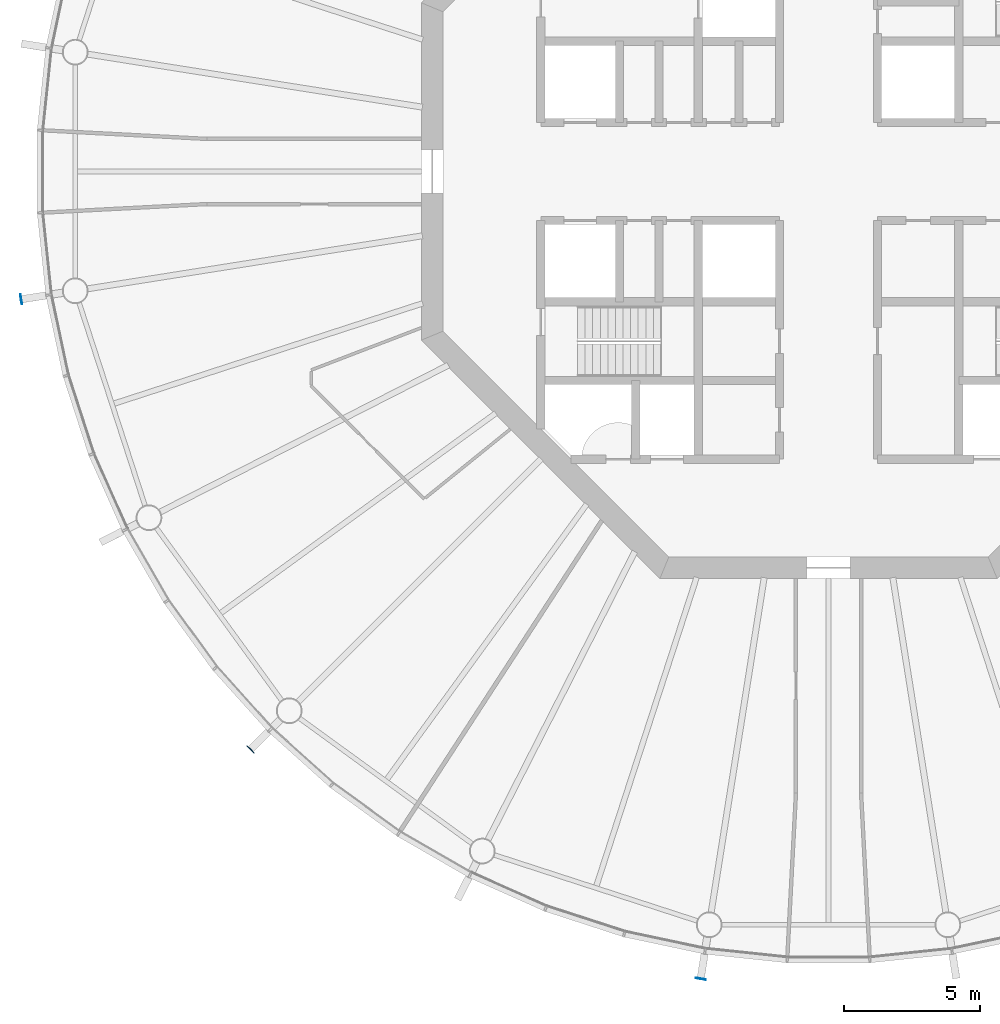
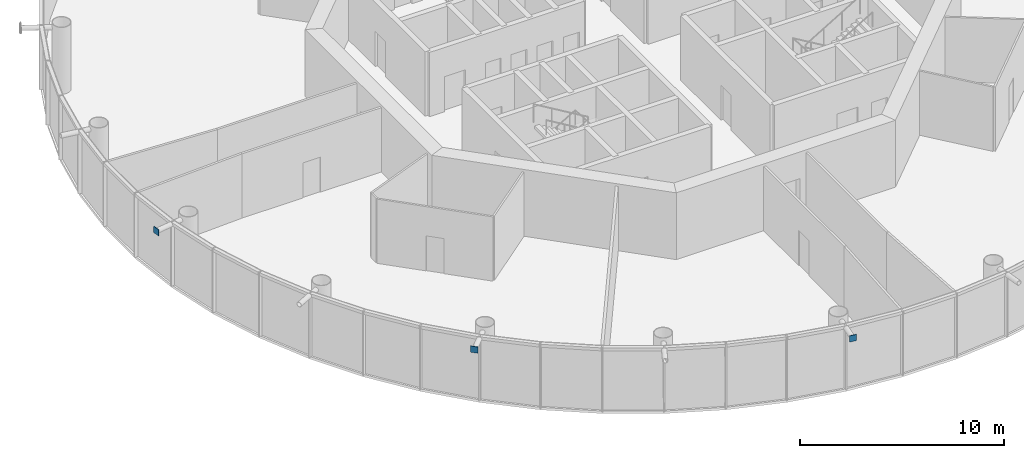
# One storey, part 7 of 17: 3 discrete accessories.
"""IFC4 building model written with IfcOpenShell, lengths in metres."""

from ifc_helpers import new_model, si_unit, direction, frame, origin, origin_2d, place, context, subcontext, project, spatial, rectangle, extrude, material, element, save


model = new_model("IFC4")

# Units and contexts
model_context = context("Model", 3, precision=1e-05, world=origin(), true_north=direction((0.0, 1.0)))
body_context = subcontext(model_context, "Body", "Model", "MODEL_VIEW")
ifc_project = project(units=[si_unit("LENGTHUNIT", "METRE"), si_unit("AREAUNIT", "SQUARE_METRE"), si_unit("VOLUMEUNIT", "CUBIC_METRE"), si_unit("PLANEANGLEUNIT", "RADIAN"), si_unit("MASSUNIT", "GRAM", prefix="KILO")], contexts=[model_context])

# Site, building, storey
site_placement = place(None, origin())
site = spatial("IfcSite", under=ifc_project, at=site_placement, CompositionType="ELEMENT")
building_placement = place(site_placement, origin())
building = spatial("IfcBuilding", under=site, at=building_placement, Name="Entoto Ring Tower", CompositionType="ELEMENT")
storey_placement = place(building_placement, frame((0.0, 0.0, 306.0)))
storey = spatial("IfcBuildingStorey", under=building, at=storey_placement, Name="L70", CompositionType="ELEMENT", Elevation=306.0)

# Discrete accessories
ifc_material = material(Name="Steel S355", Category="steel")
for number, where, z_axis, x_axis, name in (
    (1, (60.255859375, 75.2890625, 3.52685546875), (0.0, 0.0, 1.0), (-0.987688340595, -0.15643446504, 0.0), "Node strut end plate DS2 ring 23 10"),
    (2, (68.70556640625, 58.70556640625, 3.52685546875), (0.0, 0.0, 1.0), (-0.707106781187, -0.707106781187, 0.0), "Node strut end plate DS2 ring 23 12"),
    (3, (85.2890625, 50.255859375, 3.52685546875), (0.0, 0.0, 1.0), (-0.15643446504, -0.987688340595, 0.0), "Node strut end plate DS2 ring 23 14"),
):
    element("IfcDiscreteAccessory", number, at=place(storey_placement, frame(where, z_axis=z_axis, x_axis=x_axis)), inside=storey, material=ifc_material, Name=name, PredefinedType="BRACKET", context=body_context, shape_type="SweptSolid", body=[
        extrude(rectangle(XDim=0.030029296875, YDim=0.373046875, at=origin_2d()), origin(), (0.0, 0.0, 1.0), 0.373046875),
    ])

save(model, "model.ifc")
